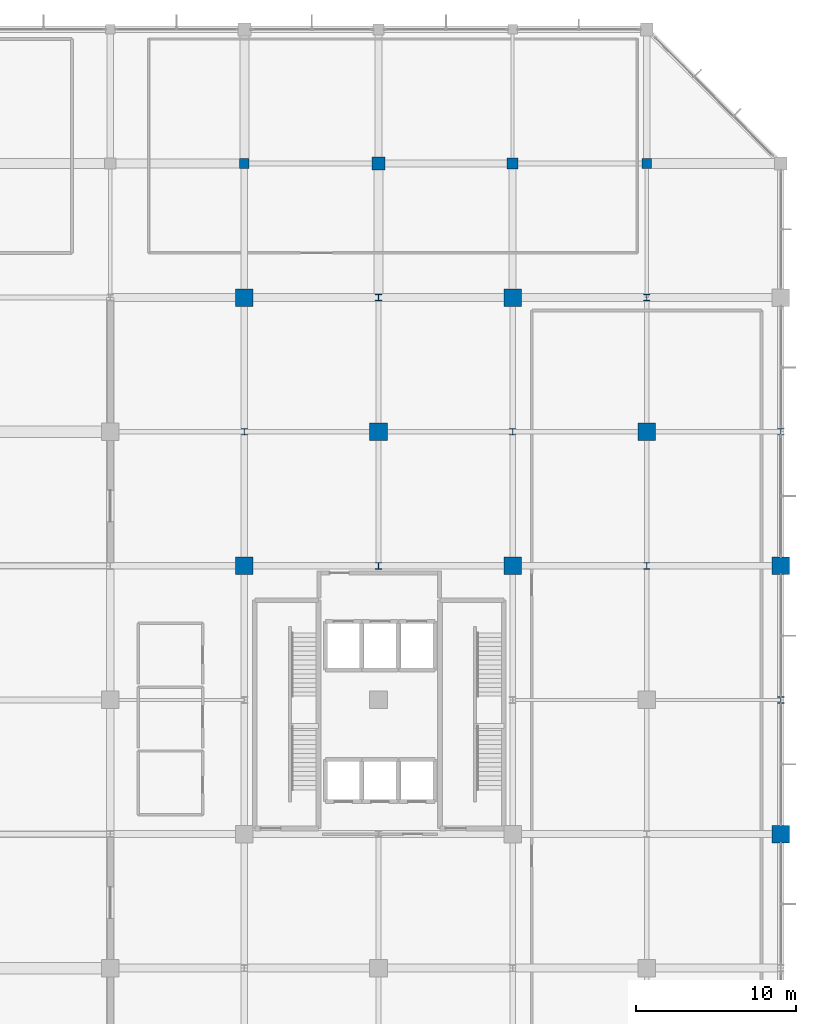
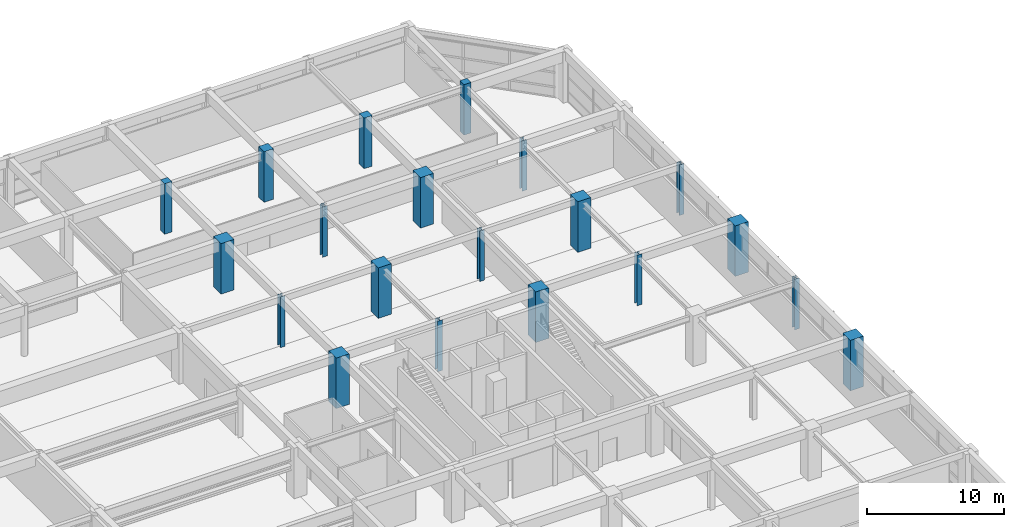
# One storey, part 8 of 56: 20 columns.
"""IFC4 building model written with IfcOpenShell, lengths in metres."""

from ifc_helpers import new_model, si_unit, direction, frame, origin, origin_2d, place, context, subcontext, project, spatial, rectangle, i_section, extrude, material, material_profile, profile_set, type_object, element, save


model = new_model("IFC4")

# Units and contexts
model_context = context("Model", 3, precision=1e-05, world=origin(), true_north=direction((0.0, 1.0)))
body_context = subcontext(model_context, "Body", "Model", "MODEL_VIEW")
ifc_project = project(units=[si_unit("LENGTHUNIT", "METRE"), si_unit("AREAUNIT", "SQUARE_METRE"), si_unit("VOLUMEUNIT", "CUBIC_METRE"), si_unit("PLANEANGLEUNIT", "RADIAN"), si_unit("MASSUNIT", "GRAM", prefix="KILO")], contexts=[model_context])

# Site, building, storey
site_placement = place(None, origin())
site = spatial("IfcSite", under=ifc_project, at=site_placement, CompositionType="ELEMENT")
building_placement = place(site_placement, origin())
building = spatial("IfcBuilding", under=site, at=building_placement, Name="Xuanlan Plaza Opera House", CompositionType="ELEMENT")
storey_placement = place(building_placement, frame((0.0, 0.0, 18.89990234375)))
storey = spatial("IfcBuildingStorey", under=building, at=storey_placement, Name="L04", CompositionType="ELEMENT", Elevation=18.89990234375)

# Columns
ifc_material_1 = material(Name="Concrete C50", Category="concrete")
ifc_material_profile_1 = material_profile(ifc_material_1, rectangle(XDim=1.10009765625, YDim=1.10009765625, at=origin_2d()), Name="RC-COL 1100x1100")
ifc_profile_set_1 = profile_set([ifc_material_profile_1], Name="Concrete C50")
column_type_1 = type_object("IfcColumnType", Name="STR-COL-C-03", PredefinedType="COLUMN", material=ifc_profile_set_1)
for number, where, z_axis, x_axis, name in (
    (1, (134.39990234375, 67.199951171875, 0.0), (0.0, 0.0, 1.0), (1.0, 0.0, 0.0), "Column L04 17-I"),
    (2, (134.39990234375, 84.0, 0.0), (0.0, 0.0, 1.0), (1.0, 0.0, 0.0), "Column L04 17-K"),
    (3, (142.800048828125, 75.60009765625, 0.0), (0.0, 0.0, 1.0), (1.0, 0.0, 0.0), "Column L04 18-J"),
    (4, (151.199951171875, 67.199951171875, 0.0), (0.0, 0.0, 1.0), (1.0, 0.0, 0.0), "Column L04 19-I"),
    (5, (151.199951171875, 84.0, 0.0), (0.0, 0.0, 1.0), (1.0, 0.0, 0.0), "Column L04 19-K"),
    (6, (159.60009765625, 75.60009765625, 0.0), (0.0, 0.0, 1.0), (1.0, 0.0, 0.0), "Column L04 20-J"),
    (7, (168.0, 50.39990234375, 0.0), (0.0, 0.0, 1.0), (1.0, 0.0, 0.0), "Column L04 21-G"),
    (8, (168.0, 67.199951171875, 0.0), (0.0, 0.0, 1.0), (1.0, 0.0, 0.0), "Column L04 21-I"),
):
    element("IfcColumn", number, at=place(storey_placement, frame(where, z_axis=z_axis, x_axis=x_axis)), inside=storey, type_object=column_type_1, Name=name, PredefinedType="COLUMN", context=body_context, shape_type="SweptSolid", body=[
        extrude(rectangle(XDim=1.10009765625, YDim=1.10009765625, at=origin_2d()), origin(), (0.0, 0.0, 1.0), 4.5),
    ])
ifc_material_2 = material(Name="Concrete C40", Category="concrete")
ifc_material_profile_2 = material_profile(ifc_material_2, rectangle(XDim=0.800048828125, YDim=0.800048828125, at=origin_2d()), Name="RC-COL 800x800")
ifc_profile_set_2 = profile_set([ifc_material_profile_2], Name="Concrete C40")
column_type_2 = type_object("IfcColumnType", Name="STR-COL-C-06", PredefinedType="COLUMN", material=ifc_profile_set_2)
column_1_placement = place(storey_placement, frame((142.800048828125, 92.39990234375, 0.0), z_axis=(0.0, 0.0, 1.0), x_axis=(1.0, 0.0, 0.0)))
element("IfcColumn", 9, at=column_1_placement, inside=storey, type_object=column_type_2, Name="Column L04 18-L", PredefinedType="COLUMN", context=body_context, shape_type="SweptSolid", body=[
    extrude(rectangle(XDim=0.800048828125, YDim=0.800048828125, at=origin_2d()), origin(), (0.0, 0.0, 1.0), 4.5),
])
ifc_material_profile_3 = material_profile(ifc_material_2, rectangle(XDim=0.699951171875, YDim=0.699951171875, at=origin_2d()), Name="RC-COL 700x700")
ifc_profile_set_3 = profile_set([ifc_material_profile_3], Name="Concrete C40")
column_type_3 = type_object("IfcColumnType", Name="STR-COL-C-07", PredefinedType="COLUMN", material=ifc_profile_set_3)
column_2_placement = place(storey_placement, frame((151.199951171875, 92.39990234375, 0.0), z_axis=(0.0, 0.0, 1.0), x_axis=(1.0, 0.0, 0.0)))
element("IfcColumn", 10, at=column_2_placement, inside=storey, type_object=column_type_3, Name="Column L04 19-L", PredefinedType="COLUMN", context=body_context, shape_type="SweptSolid", body=[
    extrude(rectangle(XDim=0.699951171875, YDim=0.699951171875, at=origin_2d()), origin(), (0.0, 0.0, 1.0), 4.5),
])
ifc_material_profile_4 = material_profile(ifc_material_2, rectangle(XDim=0.60009765625, YDim=0.60009765625, at=origin_2d()), Name="RC-COL 600x600")
ifc_profile_set_4 = profile_set([ifc_material_profile_4], Name="Concrete C40")
column_type_4 = type_object("IfcColumnType", Name="STR-COL-C-08", PredefinedType="COLUMN", material=ifc_profile_set_4)
for number, where, z_axis, x_axis, name in (
    (11, (134.39990234375, 92.39990234375, 0.0), (0.0, 0.0, 1.0), (1.0, 0.0, 0.0), "Column L04 17-L"),
    (12, (159.60009765625, 92.39990234375, 0.0), (0.0, 0.0, 1.0), (1.0, 0.0, 0.0), "Column L04 20-L"),
):
    element("IfcColumn", number, at=place(storey_placement, frame(where, z_axis=z_axis, x_axis=x_axis)), inside=storey, type_object=column_type_4, Name=name, PredefinedType="COLUMN", context=body_context, shape_type="SweptSolid", body=[
        extrude(rectangle(XDim=0.60009765625, YDim=0.60009765625, at=origin_2d()), origin(), (0.0, 0.0, 1.0), 4.5),
    ])
ifc_material_3 = material(Name="Steel Q355B", Category="steel")
ifc_material_profile_5 = material_profile(ifc_material_3, i_section(OverallWidth=0.39990234375, OverallDepth=0.39990234375, WebThickness=0.012939453125, FlangeThickness=0.02099609375, FilletRadius=0.02197265625, at=origin_2d()), Name="HW 400x400x13x21")
ifc_profile_set_5 = profile_set([ifc_material_profile_5], Name="Steel Q355B")
column_type_5 = type_object("IfcColumnType", Name="STR-COL-C-14", PredefinedType="COLUMN", material=ifc_profile_set_5)
for number, where, z_axis, x_axis, name in (
    (13, (134.39990234375, 75.60009765625, 0.0), (0.0, 0.0, 1.0), (1.0, 0.0, 0.0), "Column L04 17-J"),
    (14, (142.800048828125, 67.199951171875, 0.0), (0.0, 0.0, 1.0), (1.0, 0.0, 0.0), "Column L04 18-I"),
    (15, (142.800048828125, 84.0, 0.0), (0.0, 0.0, 1.0), (1.0, 0.0, 0.0), "Column L04 18-K"),
    (16, (151.199951171875, 75.60009765625, 0.0), (0.0, 0.0, 1.0), (1.0, 0.0, 0.0), "Column L04 19-J"),
    (17, (159.60009765625, 67.199951171875, 0.0), (0.0, 0.0, 1.0), (1.0, 0.0, 0.0), "Column L04 20-I"),
    (18, (159.60009765625, 84.0, 0.0), (0.0, 0.0, 1.0), (1.0, 0.0, 0.0), "Column L04 20-K"),
    (19, (168.0, 58.800048828125, 0.0), (0.0, 0.0, 1.0), (1.0, 0.0, 0.0), "Column L04 21-H"),
    (20, (168.0, 75.60009765625, 0.0), (0.0, 0.0, 1.0), (1.0, 0.0, 0.0), "Column L04 21-J"),
):
    element("IfcColumn", number, at=place(storey_placement, frame(where, z_axis=z_axis, x_axis=x_axis)), inside=storey, type_object=column_type_5, Name=name, PredefinedType="COLUMN", context=body_context, shape_type="SweptSolid", body=[
        extrude(i_section(OverallWidth=0.39990234375, OverallDepth=0.39990234375, WebThickness=0.012939453125, FlangeThickness=0.02099609375, FilletRadius=0.02197265625, at=origin_2d()), origin(), (0.0, 0.0, 1.0), 4.5),
    ])

save(model, "model.ifc")
